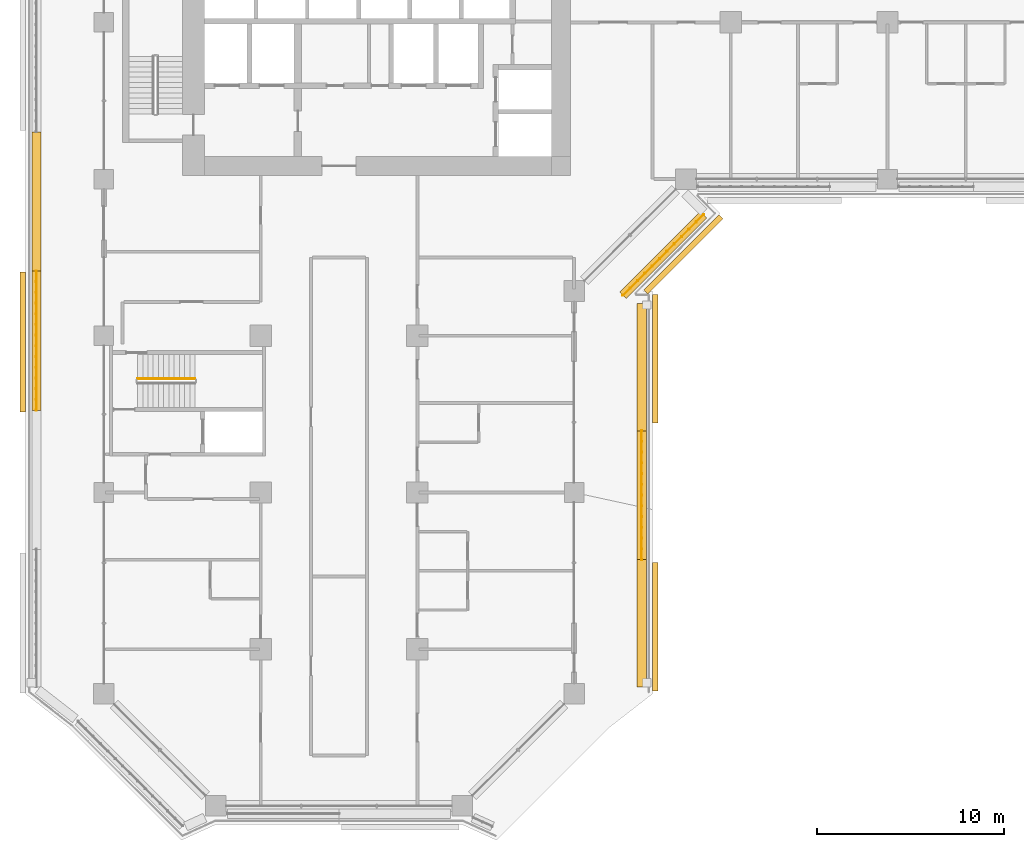
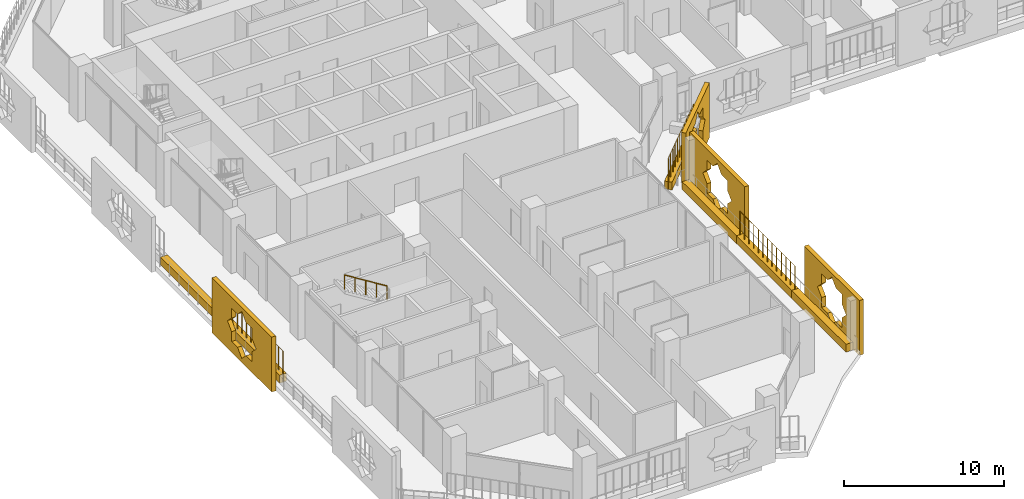
# One storey, part 20 of 25: 10 coverings, 4 railings.
"""IFC4 building model written with IfcOpenShell, lengths in metres."""

from ifc_helpers import new_model, si_unit, direction, frame, origin, origin_2d, place, context, subcontext, project, spatial, polyline, rectangle, circle, outline, extrude, material, material_profile, profile_set, type_object, element, save


model = new_model("IFC4")

# Units and contexts
model_context = context("Model", 3, precision=1e-05, world=origin(), true_north=direction((0.0, 1.0)))
body_context = subcontext(model_context, "Body", "Model", "MODEL_VIEW")
ifc_project = project(units=[si_unit("LENGTHUNIT", "METRE"), si_unit("AREAUNIT", "SQUARE_METRE"), si_unit("VOLUMEUNIT", "CUBIC_METRE"), si_unit("PLANEANGLEUNIT", "RADIAN"), si_unit("MASSUNIT", "GRAM", prefix="KILO")], contexts=[model_context])

# Site, building, storey
site_placement = place(None, origin())
site = spatial("IfcSite", under=ifc_project, at=site_placement, CompositionType="ELEMENT")
building_placement = place(site_placement, origin())
building = spatial("IfcBuilding", under=site, at=building_placement, Name="Kawkab Arch Medical Tower", CompositionType="ELEMENT")
storey_placement = place(building_placement, frame((0.0, 0.0, 136.60009765625)))
storey = spatial("IfcBuildingStorey", under=building, at=storey_placement, Name="L31", CompositionType="ELEMENT", Elevation=136.60009765625)

# Coverings
ifc_material_1 = material(Name="Bronze anodised aluminium mashrabiya panel, eight-point star pattern", Category="aluminium")
ifc_material_profile_1 = material_profile(ifc_material_1, outline(polyline([(-2.85009765625, -2.10009765625), (2.85009765625, -2.10009765625), (2.85009765625, 2.10009765625), (-2.85009765625, 2.10009765625), (-2.85009765625, -2.10009765625)]), holes=[polyline([(1.800048828125, 0.0), (1.272705078125, 0.527099609375), (1.272705078125, 1.272705078125), (0.527099609375, 1.272705078125), (0.0, 1.800048828125), (-0.527099609375, 1.272705078125), (-1.272705078125, 1.272705078125), (-1.272705078125, 0.527099609375), (-1.800048828125, 0.0), (-1.272705078125, -0.527099609375), (-1.272705078125, -1.272705078125), (-0.527099609375, -1.272705078125), (0.0, -1.800048828125), (0.527099609375, -1.272705078125), (1.272705078125, -1.272705078125), (1.272705078125, -0.527099609375), (1.800048828125, 0.0)])]), Name="Mashrabiya panel 5700x4200")
ifc_profile_set_1 = profile_set([ifc_material_profile_1], Name="Bronze anodised aluminium mashrabiya panel, eight-point star pattern")
covering_type_1 = type_object("IfcCoveringType", Name="Mashrabiya panel 5700 x 4200", PredefinedType="USERDEFINED", material=ifc_profile_set_1)
covering_1_placement = place(storey_placement, frame((30.94775390625, -29.128662109375, 1.699951171875), z_axis=(0.707106781187, -0.707106781187, 0.0), x_axis=(0.707106781187, 0.707106781187, 0.0)))
element("IfcCovering", 1, at=covering_1_placement, inside=storey, type_object=covering_type_1, Name="Mashrabiya panel L31.LOG-01-01.14", ObjectType="SCREEN", PredefinedType="USERDEFINED", context=body_context, shape_type="SweptSolid", body=[
    extrude(outline(polyline([(-2.85009765625, -2.10009765625), (2.85009765625, -2.10009765625), (2.85009765625, 2.10009765625), (-2.85009765625, 2.10009765625), (-2.85009765625, -2.10009765625)]), holes=[polyline([(1.800048828125, 0.0), (1.272705078125, 0.527099609375), (1.272705078125, 1.272705078125), (0.527099609375, 1.272705078125), (0.0, 1.800048828125), (-0.527099609375, 1.272705078125), (-1.272705078125, 1.272705078125), (-1.272705078125, 0.527099609375), (-1.800048828125, 0.0), (-1.272705078125, -0.527099609375), (-1.272705078125, -1.272705078125), (-0.527099609375, -1.272705078125), (0.0, -1.800048828125), (0.527099609375, -1.272705078125), (1.272705078125, -1.272705078125), (1.272705078125, -0.527099609375), (1.800048828125, 0.0)])]), origin(), (0.0, 0.0, 1.0), 0.300048828125),
])
ifc_material_2 = material(Name="Bronze anodised aluminium mashrabiya panel, eight-point star pattern", Category="aluminium")
ifc_material_profile_2 = material_profile(ifc_material_2, outline(polyline([(-3.449951171875, -2.10009765625), (3.449951171875, -2.10009765625), (3.449951171875, 2.10009765625), (-3.449951171875, 2.10009765625), (-3.449951171875, -2.10009765625)]), holes=[polyline([(1.800048828125, 0.0), (1.272705078125, 0.527099609375), (1.272705078125, 1.272705078125), (0.527099609375, 1.272705078125), (0.0, 1.800048828125), (-0.527099609375, 1.272705078125), (-1.272705078125, 1.272705078125), (-1.272705078125, 0.527099609375), (-1.800048828125, 0.0), (-1.272705078125, -0.527099609375), (-1.272705078125, -1.272705078125), (-0.527099609375, -1.272705078125), (0.0, -1.800048828125), (0.527099609375, -1.272705078125), (1.272705078125, -1.272705078125), (1.272705078125, -0.527099609375), (1.800048828125, 0.0)])]), Name="Mashrabiya panel 6900x4200")
ifc_profile_set_2 = profile_set([ifc_material_profile_2], Name="Bronze anodised aluminium mashrabiya panel, eight-point star pattern")
covering_type_2 = type_object("IfcCoveringType", Name="Mashrabiya panel 6900 x 4200", PredefinedType="USERDEFINED", material=ifc_profile_set_2)
for number, where, z_axis, x_axis, name in (
    (2, (29.39990234375, -34.827392578125, 1.699951171875), (1.0, 0.0, 0.0), (0.0, 1.0, 0.0), "Mashrabiya panel L31.LOG-01-01.15"),
    (3, (29.39990234375, -49.197509765625, 1.699951171875), (1.0, 0.0, 0.0), (0.0, 1.0, 0.0), "Mashrabiya panel L31.LOG-01-01.16"),
):
    element("IfcCovering", number, at=place(storey_placement, frame(where, z_axis=z_axis, x_axis=x_axis)), inside=storey, type_object=covering_type_2, Name=name, ObjectType="SCREEN", PredefinedType="USERDEFINED", context=body_context, shape_type="SweptSolid", body=[
        extrude(outline(polyline([(-3.449951171875, -2.10009765625), (3.449951171875, -2.10009765625), (3.449951171875, 2.10009765625), (-3.449951171875, 2.10009765625), (-3.449951171875, -2.10009765625)]), holes=[polyline([(1.800048828125, 0.0), (1.272705078125, 0.527099609375), (1.272705078125, 1.272705078125), (0.527099609375, 1.272705078125), (0.0, 1.800048828125), (-0.527099609375, 1.272705078125), (-1.272705078125, 1.272705078125), (-1.272705078125, 0.527099609375), (-1.800048828125, 0.0), (-1.272705078125, -0.527099609375), (-1.272705078125, -1.272705078125), (-0.527099609375, -1.272705078125), (0.0, -1.800048828125), (0.527099609375, -1.272705078125), (1.272705078125, -1.272705078125), (1.272705078125, -0.527099609375), (1.800048828125, 0.0)])]), origin(), (0.0, 0.0, 1.0), 0.300048828125),
    ])
ifc_material_3 = material(Name="Bronze anodised aluminium mashrabiya panel, eight-point star pattern", Category="aluminium")
ifc_material_profile_3 = material_profile(ifc_material_3, outline(polyline([(-3.75, -2.10009765625), (3.75, -2.10009765625), (3.75, 2.10009765625), (-3.75, 2.10009765625), (-3.75, -2.10009765625)]), holes=[polyline([(1.800048828125, 0.0), (1.272705078125, 0.527099609375), (1.272705078125, 1.272705078125), (0.527099609375, 1.272705078125), (0.0, 1.800048828125), (-0.527099609375, 1.272705078125), (-1.272705078125, 1.272705078125), (-1.272705078125, 0.527099609375), (-1.800048828125, 0.0), (-1.272705078125, -0.527099609375), (-1.272705078125, -1.272705078125), (-0.527099609375, -1.272705078125), (0.0, -1.800048828125), (0.527099609375, -1.272705078125), (1.272705078125, -1.272705078125), (1.272705078125, -0.527099609375), (1.800048828125, 0.0)])]), Name="Mashrabiya panel 7500x4200")
ifc_profile_set_3 = profile_set([ifc_material_profile_3], Name="Bronze anodised aluminium mashrabiya panel, eight-point star pattern")
covering_type_3 = type_object("IfcCoveringType", Name="Mashrabiya panel 7500 x 4200", PredefinedType="USERDEFINED", material=ifc_profile_set_3)
covering_2_placement = place(storey_placement, frame((-4.199951171875, -33.94140625, 1.699951171875), z_axis=(-1.0, 0.0, 0.0), x_axis=(0.0, -1.0, 0.0)))
element("IfcCovering", 4, at=covering_2_placement, inside=storey, type_object=covering_type_3, Name="Mashrabiya panel L31.LOG-01-01.3", ObjectType="SCREEN", PredefinedType="USERDEFINED", context=body_context, shape_type="SweptSolid", body=[
    extrude(outline(polyline([(-3.75, -2.10009765625), (3.75, -2.10009765625), (3.75, 2.10009765625), (-3.75, 2.10009765625), (-3.75, -2.10009765625)]), holes=[polyline([(1.800048828125, 0.0), (1.272705078125, 0.527099609375), (1.272705078125, 1.272705078125), (0.527099609375, 1.272705078125), (0.0, 1.800048828125), (-0.527099609375, 1.272705078125), (-1.272705078125, 1.272705078125), (-1.272705078125, 0.527099609375), (-1.800048828125, 0.0), (-1.272705078125, -0.527099609375), (-1.272705078125, -1.272705078125), (-0.527099609375, -1.272705078125), (0.0, -1.800048828125), (0.527099609375, -1.272705078125), (1.272705078125, -1.272705078125), (1.272705078125, -0.527099609375), (1.800048828125, 0.0)])]), origin(), (0.0, 0.0, 1.0), 0.300048828125),
])
ifc_material_4 = material(Name="Planting soil in a precast trough", Category="concrete")
ifc_material_profile_4 = material_profile(ifc_material_4, rectangle(XDim=0.5, YDim=0.60009765625, at=origin_2d()), Name="Trough 500x600")
ifc_profile_set_4 = profile_set([ifc_material_profile_4], Name="Planting soil in a precast trough")
covering_type_4 = type_object("IfcCoveringType", Name="Planter trough 500 x 600", PredefinedType="USERDEFINED", material=ifc_profile_set_4)
covering_3_placement = place(storey_placement, frame((-3.6201171875, -37.593017578125, 0.2998046875), z_axis=(0.0, 1.0, 0.0), x_axis=(-1.0, 0.0, 0.0)))
element("IfcCovering", 5, at=covering_3_placement, inside=storey, type_object=covering_type_4, Name="Planter L31.LOG-01-01.9", ObjectType="PLANTER", PredefinedType="USERDEFINED", context=body_context, shape_type="SweptSolid", body=[
    extrude(rectangle(XDim=0.5, YDim=0.60009765625, at=origin_2d()), origin(), (0.0, 0.0, 1.0), 7.4619140625),
])
covering_4_placement = place(storey_placement, frame((-3.6201171875, -30.131103515625, 0.2998046875), z_axis=(0.0, 1.0, 0.0), x_axis=(-1.0, 0.0, 0.0)))
element("IfcCovering", 6, at=covering_4_placement, inside=storey, type_object=covering_type_4, Name="Planter L31.LOG-01-01.10", ObjectType="PLANTER", PredefinedType="USERDEFINED", context=body_context, shape_type="SweptSolid", body=[
    extrude(rectangle(XDim=0.5, YDim=0.60009765625, at=origin_2d()), origin(), (0.0, 0.0, 1.0), 7.462158203125),
])
covering_5_placement = place(storey_placement, frame((32.14697265625, -27.10888671875, 0.2998046875), z_axis=(-0.707007043994, -0.707206504313, 0.0), x_axis=(0.707206504313, -0.707007043994, 0.0)))
element("IfcCovering", 7, at=covering_5_placement, inside=storey, type_object=covering_type_4, Name="Planter L31.LOG-01-01.43", ObjectType="PLANTER", PredefinedType="USERDEFINED", context=body_context, shape_type="SweptSolid", body=[
    extrude(rectangle(XDim=0.5, YDim=0.60009765625, at=origin_2d()), origin(), (0.0, 0.0, 1.0), 6.1201171875),
])
covering_6_placement = place(storey_placement, frame((28.820068359375, -31.8798828125, 0.2998046875), z_axis=(0.0, -1.0, 0.0), x_axis=(1.0, 0.0, 0.0)))
element("IfcCovering", 8, at=covering_6_placement, inside=storey, type_object=covering_type_4, Name="Planter L31.LOG-01-01.44", ObjectType="PLANTER", PredefinedType="USERDEFINED", context=body_context, shape_type="SweptSolid", body=[
    extrude(rectangle(XDim=0.5, YDim=0.60009765625, at=origin_2d()), origin(), (0.0, 0.0, 1.0), 6.81201171875),
])
covering_7_placement = place(storey_placement, frame((28.820068359375, -38.69189453125, 0.2998046875), z_axis=(0.0, -1.0, 0.0), x_axis=(1.0, 0.0, 0.0)))
element("IfcCovering", 9, at=covering_7_placement, inside=storey, type_object=covering_type_4, Name="Planter L31.LOG-01-01.45", ObjectType="PLANTER", PredefinedType="USERDEFINED", context=body_context, shape_type="SweptSolid", body=[
    extrude(rectangle(XDim=0.5, YDim=0.60009765625, at=origin_2d()), origin(), (0.0, 0.0, 1.0), 6.912109375),
])
covering_8_placement = place(storey_placement, frame((28.820068359375, -45.60400390625, 0.2998046875), z_axis=(0.0, -1.0, 0.0), x_axis=(1.0, 0.0, 0.0)))
element("IfcCovering", 10, at=covering_8_placement, inside=storey, type_object=covering_type_4, Name="Planter L31.LOG-01-01.46", ObjectType="PLANTER", PredefinedType="USERDEFINED", context=body_context, shape_type="SweptSolid", body=[
    extrude(rectangle(XDim=0.5, YDim=0.60009765625, at=origin_2d()), origin(), (0.0, 0.0, 1.0), 6.81201171875),
])

# Railings
ifc_material_5 = material(Name="Bronze anodised aluminium trellis for climbing plants", Category="aluminium")
railing_type_1 = type_object("IfcRailingType", Name="Planting trellis 2400", PredefinedType="USERDEFINED", material=ifc_material_5)
railing_1_placement = place(storey_placement, frame((-3.6201171875, -37.593017578125, 0.0)))
element("IfcRailing", 11, at=railing_1_placement, inside=storey, type_object=railing_type_1, Name="Planting trellis L31.LOG-01-01.9", ObjectType="TRELLIS", PredefinedType="USERDEFINED", context=body_context, shape_type="SweptSolid", body=[
    extrude(circle(Radius=0.01513671875, at=origin_2d()), frame((0.0, 0.0, 2.384765625), z_axis=(0.0, 1.0, 0.0), x_axis=(-1.0, 0.0, 0.0)), (0.0, 0.0, 1.0), 7.4619140625),
    extrude(circle(Radius=0.030029296875, at=origin_2d()), origin(), (0.0, 0.0, 1.0), 2.369873046875),
    extrude(circle(Radius=0.030029296875, at=origin_2d()), frame((0.0, 0.573974609375, 0.0)), (0.0, 0.0, 1.0), 2.369873046875),
    extrude(circle(Radius=0.030029296875, at=origin_2d()), frame((0.0, 1.14794921875, 0.0)), (0.0, 0.0, 1.0), 2.369873046875),
    extrude(circle(Radius=0.030029296875, at=origin_2d()), frame((0.0, 1.721923828125, 0.0)), (0.0, 0.0, 1.0), 2.369873046875),
    extrude(circle(Radius=0.030029296875, at=origin_2d()), frame((0.0, 2.2958984375, 0.0)), (0.0, 0.0, 1.0), 2.369873046875),
    extrude(circle(Radius=0.030029296875, at=origin_2d()), frame((0.0, 2.869873046875, 0.0)), (0.0, 0.0, 1.0), 2.369873046875),
    extrude(circle(Radius=0.030029296875, at=origin_2d()), frame((0.0, 3.44384765625, 0.0)), (0.0, 0.0, 1.0), 2.369873046875),
    extrude(circle(Radius=0.030029296875, at=origin_2d()), frame((0.0, 4.01806640625, 0.0)), (0.0, 0.0, 1.0), 2.369873046875),
    extrude(circle(Radius=0.030029296875, at=origin_2d()), frame((0.0, 4.592041015625, 0.0)), (0.0, 0.0, 1.0), 2.369873046875),
    extrude(circle(Radius=0.030029296875, at=origin_2d()), frame((0.0, 5.166015625, 0.0)), (0.0, 0.0, 1.0), 2.369873046875),
    extrude(circle(Radius=0.030029296875, at=origin_2d()), frame((0.0, 5.739990234375, 0.0)), (0.0, 0.0, 1.0), 2.369873046875),
    extrude(circle(Radius=0.030029296875, at=origin_2d()), frame((0.0, 6.31396484375, 0.0)), (0.0, 0.0, 1.0), 2.369873046875),
    extrude(circle(Radius=0.030029296875, at=origin_2d()), frame((0.0, 6.887939453125, 0.0)), (0.0, 0.0, 1.0), 2.369873046875),
    extrude(circle(Radius=0.030029296875, at=origin_2d()), frame((0.0, 7.4619140625, 0.0)), (0.0, 0.0, 1.0), 2.369873046875),
])
railing_2_placement = place(storey_placement, frame((32.14697265625, -27.10888671875, 0.0)))
element("IfcRailing", 12, at=railing_2_placement, inside=storey, type_object=railing_type_1, Name="Planting trellis L31.LOG-01-01.43", ObjectType="TRELLIS", PredefinedType="USERDEFINED", context=body_context, shape_type="SweptSolid", body=[
    extrude(circle(Radius=0.01513671875, at=origin_2d()), frame((0.0, 0.0, 2.384765625), z_axis=(-0.707007043994, -0.707206504313, 0.0), x_axis=(0.707206504313, -0.707007043994, 0.0)), (0.0, 0.0, 1.0), 6.1201171875),
    extrude(circle(Radius=0.030029296875, at=origin_2d()), origin(), (0.0, 0.0, 1.0), 2.369873046875),
    extrude(circle(Radius=0.030029296875, at=origin_2d()), frame((-0.393310546875, -0.3935546875, 0.0)), (0.0, 0.0, 1.0), 2.369873046875),
    extrude(circle(Radius=0.030029296875, at=origin_2d()), frame((-0.78662109375, -0.786865234375, 0.0)), (0.0, 0.0, 1.0), 2.369873046875),
    extrude(circle(Radius=0.030029296875, at=origin_2d()), frame((-1.18017578125, -1.180419921875, 0.0)), (0.0, 0.0, 1.0), 2.369873046875),
    extrude(circle(Radius=0.030029296875, at=origin_2d()), frame((-1.573486328125, -1.573974609375, 0.0)), (0.0, 0.0, 1.0), 2.369873046875),
    extrude(circle(Radius=0.030029296875, at=origin_2d()), frame((-1.966796875, -1.96728515625, 0.0)), (0.0, 0.0, 1.0), 2.369873046875),
    extrude(circle(Radius=0.030029296875, at=origin_2d()), frame((-2.360107421875, -2.36083984375, 0.0)), (0.0, 0.0, 1.0), 2.369873046875),
    extrude(circle(Radius=0.030029296875, at=origin_2d()), frame((-2.75341796875, -2.754150390625, 0.0)), (0.0, 0.0, 1.0), 2.369873046875),
    extrude(circle(Radius=0.030029296875, at=origin_2d()), frame((-3.146728515625, -3.147705078125, 0.0)), (0.0, 0.0, 1.0), 2.369873046875),
    extrude(circle(Radius=0.030029296875, at=origin_2d()), frame((-3.540283203125, -3.541259765625, 0.0)), (0.0, 0.0, 1.0), 2.369873046875),
    extrude(circle(Radius=0.030029296875, at=origin_2d()), frame((-3.93359375, -3.9345703125, 0.0)), (0.0, 0.0, 1.0), 2.369873046875),
    extrude(circle(Radius=0.030029296875, at=origin_2d()), frame((-4.326904296875, -4.328125, 0.0)), (0.0, 0.0, 1.0), 2.369873046875),
])
railing_3_placement = place(storey_placement, frame((28.820068359375, -38.69189453125, 0.0)))
element("IfcRailing", 13, at=railing_3_placement, inside=storey, type_object=railing_type_1, Name="Planting trellis L31.LOG-01-01.45", ObjectType="TRELLIS", PredefinedType="USERDEFINED", context=body_context, shape_type="SweptSolid", body=[
    extrude(circle(Radius=0.01513671875, at=origin_2d()), frame((0.0, 0.0, 2.384765625), z_axis=(0.0, -1.0, 0.0), x_axis=(1.0, 0.0, 0.0)), (0.0, 0.0, 1.0), 6.912109375),
    extrude(circle(Radius=0.030029296875, at=origin_2d()), origin(), (0.0, 0.0, 1.0), 2.369873046875),
    extrude(circle(Radius=0.030029296875, at=origin_2d()), frame((0.0, -0.575927734375, 0.0)), (0.0, 0.0, 1.0), 2.369873046875),
    extrude(circle(Radius=0.030029296875, at=origin_2d()), frame((0.0, -1.152099609375, 0.0)), (0.0, 0.0, 1.0), 2.369873046875),
    extrude(circle(Radius=0.030029296875, at=origin_2d()), frame((0.0, -1.72802734375, 0.0)), (0.0, 0.0, 1.0), 2.369873046875),
    extrude(circle(Radius=0.030029296875, at=origin_2d()), frame((0.0, -2.303955078125, 0.0)), (0.0, 0.0, 1.0), 2.369873046875),
    extrude(circle(Radius=0.030029296875, at=origin_2d()), frame((0.0, -2.880126953125, 0.0)), (0.0, 0.0, 1.0), 2.369873046875),
    extrude(circle(Radius=0.030029296875, at=origin_2d()), frame((0.0, -3.4560546875, 0.0)), (0.0, 0.0, 1.0), 2.369873046875),
    extrude(circle(Radius=0.030029296875, at=origin_2d()), frame((0.0, -4.031982421875, 0.0)), (0.0, 0.0, 1.0), 2.369873046875),
    extrude(circle(Radius=0.030029296875, at=origin_2d()), frame((0.0, -4.608154296875, 0.0)), (0.0, 0.0, 1.0), 2.369873046875),
    extrude(circle(Radius=0.030029296875, at=origin_2d()), frame((0.0, -5.18408203125, 0.0)), (0.0, 0.0, 1.0), 2.369873046875),
    extrude(circle(Radius=0.030029296875, at=origin_2d()), frame((0.0, -5.760009765625, 0.0)), (0.0, 0.0, 1.0), 2.369873046875),
    extrude(circle(Radius=0.030029296875, at=origin_2d()), frame((0.0, -6.336181640625, 0.0)), (0.0, 0.0, 1.0), 2.369873046875),
    extrude(circle(Radius=0.030029296875, at=origin_2d()), frame((0.0, -6.912109375, 0.0)), (0.0, 0.0, 1.0), 2.369873046875),
])
ifc_material_6 = material(Name="Stainless steel", Category="steel")
railing_type_2 = type_object("IfcRailingType", Name="Stair guard 1100", PredefinedType="GUARDRAIL", material=ifc_material_6)
railing_4_placement = place(storey_placement, frame((4.8798828125, -35.89990234375, 2.27490234375)))
element("IfcRailing", 14, at=railing_4_placement, inside=storey, type_object=railing_type_2, Name="L31 ST6 stair guard 3", PredefinedType="GUARDRAIL", context=body_context, shape_type="SweptSolid", body=[
    extrude(circle(Radius=0.02392578125, at=origin_2d()), frame((0.0, 0.0, 1.076171875), z_axis=(-0.847979421464, 0.0, 0.530029150871), x_axis=(0.0, -1.0, 0.0)), (0.0, 0.0, 1.0), 3.632080078125),
    extrude(circle(Radius=0.02099609375, at=origin_2d()), origin(), (0.0, 0.0, 1.0), 1.052001953125),
    extrude(circle(Radius=0.02099609375, at=origin_2d()), frame((-0.77001953125, 0.0, 0.481201171875)), (0.0, 0.0, 1.0), 1.052001953125),
    extrude(circle(Radius=0.02099609375, at=origin_2d()), frame((-1.5400390625, 0.0, 0.96240234375)), (0.0, 0.0, 1.0), 1.052001953125),
    extrude(circle(Radius=0.02099609375, at=origin_2d()), frame((-2.309814453125, 0.0, 1.44384765625)), (0.0, 0.0, 1.0), 1.052001953125),
    extrude(circle(Radius=0.02099609375, at=origin_2d()), frame((-3.079833984375, 0.0, 1.925048828125)), (0.0, 0.0, 1.0), 1.052001953125),
])

save(model, "model.ifc")
